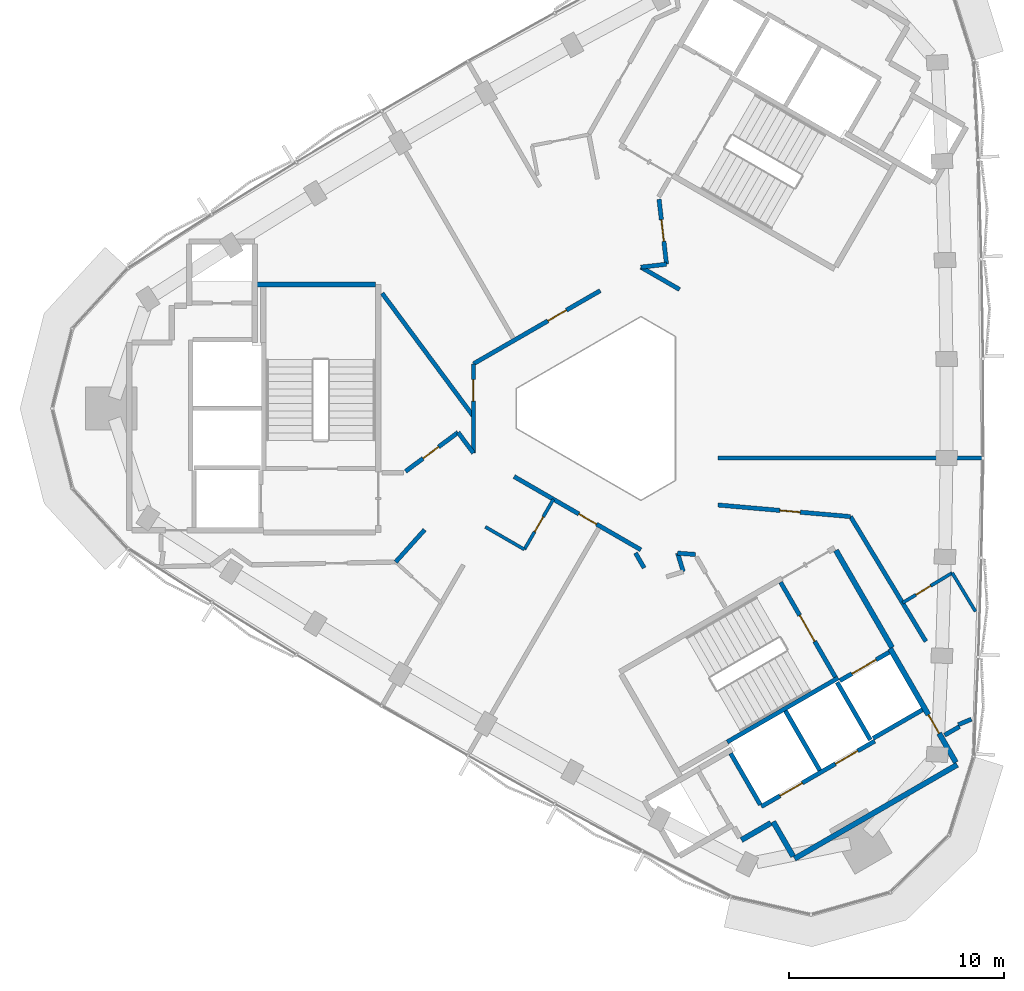
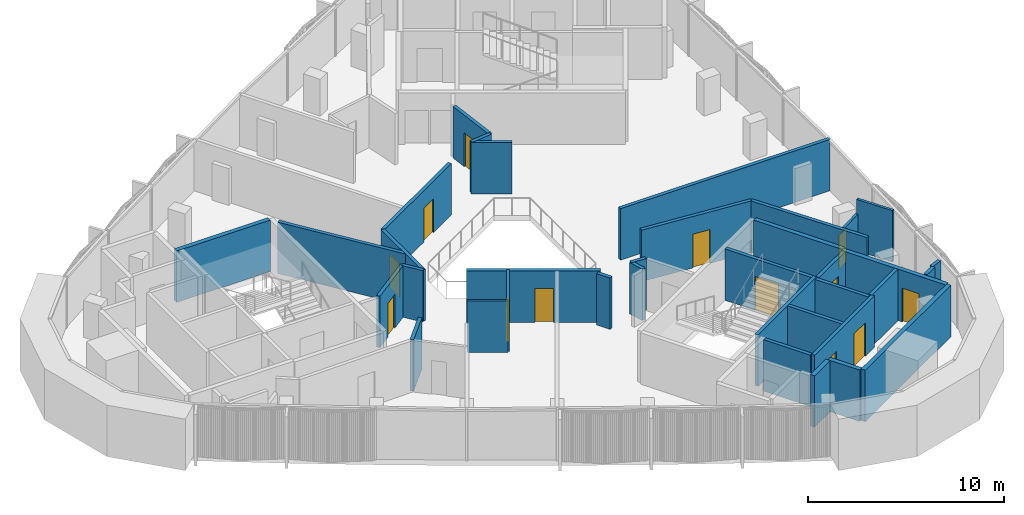
# One storey, part 7 of 13: 36 walls, 13 doors, 13 openings.
"""IFC4 building model written with IfcOpenShell, lengths in metres."""

from ifc_helpers import new_model, si_unit, direction, frame, frame_2d, origin, place, context, subcontext, project, spatial, rectangle, extrude, material, layer, layer_set, type_object, element, fill, save


model = new_model("IFC4")

# Units and contexts
model_context = context("Model", 3, precision=1e-05, world=origin(), true_north=direction((0.0, 1.0)))
body_context = subcontext(model_context, "Body", "Model", "MODEL_VIEW")
ifc_project = project(units=[si_unit("LENGTHUNIT", "METRE"), si_unit("AREAUNIT", "SQUARE_METRE"), si_unit("VOLUMEUNIT", "CUBIC_METRE"), si_unit("PLANEANGLEUNIT", "RADIAN"), si_unit("MASSUNIT", "GRAM", prefix="KILO")], contexts=[model_context])

# Site, building, storey
site_placement = place(None, origin())
site = spatial("IfcSite", under=ifc_project, at=site_placement, CompositionType="ELEMENT")
building_placement = place(site_placement, origin())
building = spatial("IfcBuilding", under=site, at=building_placement, Name="Tamra Quay Hotel Tower", CompositionType="ELEMENT")
storey_placement = place(building_placement, frame((0.0, 0.0, 298.199951171875)))
storey = spatial("IfcBuildingStorey", under=building, at=storey_placement, Name="L75", CompositionType="ELEMENT", Elevation=298.199951171875)

# Wall
ifc_material_1 = material(Name="Concrete M70", Category="concrete")
ifc_layer_1 = layer(ifc_material_1, 0.199951171875)
ifc_layer_set_1 = layer_set([ifc_layer_1], Name="Concrete M70 core wall 200")
wall_type_1 = type_object("IfcWallType", Name="Concrete M70 core wall 200", PredefinedType="SHEAR", material=ifc_layer_set_1)
wall_1_placement = place(storey_placement, frame((5.4189453125, -15.533935546875, 0.0), z_axis=(0.0, 0.0, 1.0), x_axis=(0.866029065029, 0.499993658486, 0.0)))
element("IfcWall", 1, at=wall_1_placement, inside=storey, type_object=wall_type_1, Name="CW2", PredefinedType="SHEAR", context=body_context, shape_type="SweptSolid", body=[
    extrude(rectangle(XDim=5.97412109375, YDim=0.199951171875, at=frame_2d((2.987060546875, 0.0))), origin(), (0.0, 0.0, 1.0), 3.199951171875),
])

# Wall, openings, doors
wall_2_placement = place(storey_placement, frame((7.009765625, -18.54150390625, 0.0), z_axis=(0.0, 0.0, 1.0), x_axis=(0.866030299012, 0.499991521122, 0.0)))
wall_2 = element("IfcWall", 2, at=wall_2_placement, inside=storey, type_object=wall_type_1, Name="CW2", PredefinedType="SHEAR", context=body_context, shape_type="SweptSolid", body=[
    extrude(rectangle(XDim=6.10009765625, YDim=0.199951171875, at=frame_2d((3.050048828125, 0.0))), origin(), (0.0, 0.0, 1.0), 3.199951171875),
])
opening_1_placement = place(wall_2_placement, frame((1.0, 0.0, 0.0)))
opening_1 = element("IfcOpeningElement", 3, at=opening_1_placement, cuts=wall_2, Name="Opening LD", PredefinedType="OPENING", context=body_context, shape_type="SweptSolid", body=[
    extrude(rectangle(XDim=1.199951171875, YDim=2.10009765625, at=frame_2d((0.60009765625, 1.050048828125))), frame((0.0, 0.10986328125, 0.0), z_axis=(0.0, -1.0, 0.0), x_axis=(1.0, 0.0, 0.0)), (0.0, 0.0, 1.0), 0.219970703125),
])
opening_2_placement = place(wall_2_placement, frame((3.982177734375, 0.0, 0.0)))
opening_2 = element("IfcOpeningElement", 4, at=opening_2_placement, cuts=wall_2, Name="Opening LD", PredefinedType="OPENING", context=body_context, shape_type="SweptSolid", body=[
    extrude(rectangle(XDim=1.199951171875, YDim=2.10009765625, at=frame_2d((0.60009765625, 1.050048828125))), frame((0.0, 0.10986328125, 0.0), z_axis=(0.0, -1.0, 0.0), x_axis=(1.0, 0.0, 0.0)), (0.0, 0.0, 1.0), 0.219970703125),
])
ifc_material_2 = material(Name="Landing door LD 1200 double door sliding")
door_type_1 = type_object("IfcDoorType", Name="Landing door LD 1200 double door sliding", OperationType="DOUBLE_DOOR_SLIDING", PredefinedType="DOOR", material=ifc_material_2)
door_1_placement = place(opening_1_placement, origin())
door_1 = element("IfcDoor", 5, at=door_1_placement, inside=storey, type_object=door_type_1, Name="LD", OperationType="DOUBLE_DOOR_SLIDING", OverallHeight=2.10009765625, OverallWidth=1.199951171875, PredefinedType="DOOR", context=body_context, shape_type="SweptSolid", body=[
    extrude(rectangle(XDim=1.199951171875, YDim=2.10009765625, at=frame_2d((0.60009765625, 1.050048828125))), frame((0.0, 0.02490234375, 0.0), z_axis=(0.0, -1.0, 0.0), x_axis=(1.0, 0.0, 0.0)), (0.0, 0.0, 1.0), 0.050048828125),
])
fill(opening_1, door_1)
door_2_placement = place(opening_2_placement, origin())
door_2 = element("IfcDoor", 6, at=door_2_placement, inside=storey, type_object=door_type_1, Name="LD", OperationType="DOUBLE_DOOR_SLIDING", OverallHeight=2.10009765625, OverallWidth=1.199951171875, PredefinedType="DOOR", context=body_context, shape_type="SweptSolid", body=[
    extrude(rectangle(XDim=1.199951171875, YDim=2.10009765625, at=frame_2d((0.60009765625, 1.050048828125))), frame((0.0, 0.02490234375, 0.0), z_axis=(0.0, -1.0, 0.0), x_axis=(1.0, 0.0, 0.0)), (0.0, 0.0, 1.0), 0.050048828125),
])
fill(opening_2, door_2)

# Wall, opening, door
wall_3_placement = place(storey_placement, frame((7.906494140625, -8.094482421875, 0.0), z_axis=(0.0, 0.0, 1.0), x_axis=(0.500027839223, -0.866009330205, 0.0)))
wall_3 = element("IfcWall", 7, at=wall_3_placement, inside=storey, type_object=wall_type_1, Name="CW2", PredefinedType="SHEAR", context=body_context, shape_type="SweptSolid", body=[
    extrude(rectangle(XDim=5.097900390625, YDim=0.199951171875, at=frame_2d((2.548828125, 0.0))), origin(), (0.0, 0.0, 1.0), 3.199951171875),
])
opening_3_placement = place(wall_3_placement, frame((1.77392578125, 0.0, 0.0)))
opening_3 = element("IfcOpeningElement", 8, at=opening_3_placement, cuts=wall_3, Name="Opening FD2", PredefinedType="OPENING", context=body_context, shape_type="SweptSolid", body=[
    extrude(rectangle(XDim=1.39990234375, YDim=2.10009765625, at=frame_2d((0.699951171875, 1.050048828125))), frame((0.0, 0.10986328125, 0.0), z_axis=(0.0, -1.0, 0.0), x_axis=(1.0, 0.0, 0.0)), (0.0, 0.0, 1.0), 0.219970703125),
])
ifc_material_3 = material(Name="Core door FD2 1400x2100 RH")
door_type_2 = type_object("IfcDoorType", Name="Core door FD2 1400x2100 RH", OperationType="NOTDEFINED", PredefinedType="DOOR", material=ifc_material_3)
door_3_placement = place(opening_3_placement, origin())
door_3 = element("IfcDoor", 9, at=door_3_placement, inside=storey, type_object=door_type_2, Name="FD2", OperationType="SINGLE_SWING_RIGHT", OverallHeight=2.10009765625, OverallWidth=1.39990234375, PredefinedType="DOOR", context=body_context, shape_type="SweptSolid", body=[
    extrude(rectangle(XDim=1.39990234375, YDim=2.10009765625, at=frame_2d((0.699951171875, 1.050048828125))), frame((0.0, 0.02490234375, 0.0), z_axis=(0.0, -1.0, 0.0), x_axis=(1.0, 0.0, 0.0)), (0.0, 0.0, 1.0), 0.050048828125),
])
fill(opening_3, door_3)

# Walls
wall_4_placement = place(storey_placement, frame((8.131591796875, -14.084228515625, 0.0), z_axis=(0.0, 0.0, 1.0), x_axis=(0.499997778408, -0.866026686418, 0.0)))
element("IfcWall", 10, at=wall_4_placement, inside=storey, type_object=wall_type_1, Name="CW2", PredefinedType="SHEAR", context=body_context, shape_type="SweptSolid", body=[
    extrude(rectangle(XDim=3.1982421875, YDim=0.199951171875, at=frame_2d((1.59912109375, 0.0))), origin(), (0.0, 0.0, 1.0), 3.199951171875),
])
wall_5_placement = place(storey_placement, frame((6.959716796875, -18.455078125, 0.0), z_axis=(0.0, 0.0, 1.0), x_axis=(-0.499926705758, 0.866067716099, 0.0)))
element("IfcWall", 11, at=wall_5_placement, inside=storey, type_object=wall_type_1, Name="CW2", PredefinedType="SHEAR", context=body_context, shape_type="SweptSolid", body=[
    extrude(rectangle(XDim=2.75927734375, YDim=0.199951171875, at=frame_2d((1.379638671875, 0.0))), origin(), (0.0, 0.0, 1.0), 3.199951171875),
])
wall_6_placement = place(storey_placement, frame((12.087646484375, -15.4365234375, 0.0), z_axis=(0.0, 0.0, 1.0), x_axis=(-0.500026960575, 0.86600983753, 0.0)))
element("IfcWall", 12, at=wall_6_placement, inside=storey, type_object=wall_type_1, Name="CW2", PredefinedType="SHEAR", context=body_context, shape_type="SweptSolid", body=[
    extrude(rectangle(XDim=3.099853515625, YDim=0.199951171875, at=frame_2d((1.5498046875, 0.0))), origin(), (0.0, 0.0, 1.0), 3.199951171875),
])

# Wall, opening, door
wall_7_placement = place(storey_placement, frame((10.666015625, -12.677734375, 0.0), z_axis=(0.0, 0.0, 1.0), x_axis=(0.866018407898, 0.500012117035, 0.0)))
wall_7 = element("IfcWall", 13, at=wall_7_placement, inside=storey, type_object=wall_type_1, Name="CW2", PredefinedType="SHEAR", context=body_context, shape_type="SweptSolid", body=[
    extrude(rectangle(XDim=2.65087890625, YDim=0.199951171875, at=frame_2d((1.325439453125, 0.0))), origin(), (0.0, 0.0, 1.0), 3.199951171875),
])
opening_4_placement = place(wall_7_placement, frame((0.65185546875, 0.0, 0.0)))
opening_4 = element("IfcOpeningElement", 14, at=opening_4_placement, cuts=wall_7, Name="Opening LD", PredefinedType="OPENING", context=body_context, shape_type="SweptSolid", body=[
    extrude(rectangle(XDim=1.300048828125, YDim=2.10009765625, at=frame_2d((0.64990234375, 1.050048828125))), frame((0.0, 0.10986328125, 0.0), z_axis=(0.0, -1.0, 0.0), x_axis=(1.0, 0.0, 0.0)), (0.0, 0.0, 1.0), 0.219970703125),
])
ifc_material_4 = material(Name="Landing door LD 1300 sliding to right")
door_type_3 = type_object("IfcDoorType", Name="Landing door LD 1300 sliding to right", OperationType="NOTDEFINED", PredefinedType="DOOR", material=ifc_material_4)
door_4_placement = place(opening_4_placement, origin())
door_4 = element("IfcDoor", 15, at=door_4_placement, inside=storey, type_object=door_type_3, Name="LD", OperationType="SLIDING_TO_RIGHT", OverallHeight=2.10009765625, OverallWidth=1.300048828125, PredefinedType="DOOR", context=body_context, shape_type="SweptSolid", body=[
    extrude(rectangle(XDim=1.300048828125, YDim=2.10009765625, at=frame_2d((0.64990234375, 1.050048828125))), frame((0.0, 0.02490234375, 0.0), z_axis=(0.0, -1.0, 0.0), x_axis=(1.0, 0.0, 0.0)), (0.0, 0.0, 1.0), 0.050048828125),
])
fill(opening_4, door_4)

# Walls
wall_8_placement = place(storey_placement, frame((14.51171875, -14.037109375, 0.0), z_axis=(0.0, 0.0, 1.0), x_axis=(-0.866018407898, -0.500012117035, 0.0)))
element("IfcWall", 16, at=wall_8_placement, inside=storey, type_object=wall_type_1, Name="CW2", PredefinedType="SHEAR", context=body_context, shape_type="SweptSolid", body=[
    extrude(rectangle(XDim=2.65087890625, YDim=0.199951171875, at=frame_2d((1.325439453125, 0.0))), origin(), (0.0, 0.0, 1.0), 3.199951171875),
])
ifc_layer_2 = layer(ifc_material_1, 0.25)
ifc_layer_set_2 = layer_set([ifc_layer_2], Name="Concrete M70 core wall 250")
wall_type_2 = type_object("IfcWallType", Name="Concrete M70 core wall 250", PredefinedType="SHEAR", material=ifc_layer_set_2)
wall_9_placement = place(storey_placement, frame((-16.47216796875, 5.77490234375, 0.0), z_axis=(0.0, 0.0, 1.0), x_axis=(1.0, 0.0, 0.0)))
element("IfcWall", 17, at=wall_9_placement, inside=storey, type_object=wall_type_2, Name="CW1", PredefinedType="SHEAR", context=body_context, shape_type="SweptSolid", body=[
    extrude(rectangle(XDim=5.509521484375, YDim=0.25, at=frame_2d((2.7548828125, 0.0))), origin(), (0.0, 0.0, 1.0), 3.199951171875),
])
wall_10_placement = place(storey_placement, frame((16.13330078125, -16.59375, 0.0), z_axis=(0.0, 0.0, 1.0), x_axis=(-0.866022959057, -0.500004234368, 0.0)))
element("IfcWall", 18, at=wall_10_placement, inside=storey, type_object=wall_type_2, Name="CW1", PredefinedType="SHEAR", context=body_context, shape_type="SweptSolid", body=[
    extrude(rectangle(XDim=8.75, YDim=0.25, at=frame_2d((4.375, 0.0))), origin(), (0.0, 0.0, 1.0), 3.199951171875),
])

# Wall, opening, door
wall_11_placement = place(storey_placement, frame((13.00830078125, -11.18115234375, 0.0), z_axis=(0.0, 0.0, 1.0), x_axis=(0.500001955336, -0.866024274868, 0.0)))
wall_11 = element("IfcWall", 19, at=wall_11_placement, inside=storey, type_object=wall_type_2, Name="CW1", PredefinedType="SHEAR", context=body_context, shape_type="SweptSolid", body=[
    extrude(rectangle(XDim=6.12451171875, YDim=0.25, at=frame_2d((3.062255859375, 0.0))), origin(), (0.0, 0.0, 1.0), 3.199951171875),
])
opening_5_placement = place(wall_11_placement, frame((3.562744140625, 0.0, 0.0)))
opening_5 = element("IfcOpeningElement", 20, at=opening_5_placement, cuts=wall_11, Name="Opening FD3", PredefinedType="OPENING", context=body_context, shape_type="SweptSolid", body=[
    extrude(rectangle(XDim=1.0, YDim=2.10009765625, at=frame_2d((0.5, 1.050048828125))), frame((0.0, 0.135009765625, 0.0), z_axis=(0.0, -1.0, 0.0), x_axis=(1.0, 0.0, 0.0)), (0.0, 0.0, 1.0), 0.27001953125),
])
ifc_material_5 = material(Name="Core door FD3 1000x2100 LH")
door_type_4 = type_object("IfcDoorType", Name="Core door FD3 1000x2100 LH", OperationType="NOTDEFINED", PredefinedType="DOOR", material=ifc_material_5)
door_5_placement = place(opening_5_placement, origin())
door_5 = element("IfcDoor", 21, at=door_5_placement, inside=storey, type_object=door_type_4, Name="FD3", OperationType="SINGLE_SWING_LEFT", OverallHeight=2.10009765625, OverallWidth=1.0, PredefinedType="DOOR", context=body_context, shape_type="SweptSolid", body=[
    extrude(rectangle(XDim=1.0, YDim=2.10009765625, at=frame_2d((0.5, 1.050048828125))), frame((0.0, 0.02490234375, 0.0), z_axis=(0.0, -1.0, 0.0), x_axis=(1.0, 0.0, 0.0)), (0.0, 0.0, 1.0), 0.050048828125),
])
fill(opening_5, door_5)

# Walls
wall_12_placement = place(storey_placement, frame((10.482666015625, -6.6064453125, 0.0), z_axis=(0.0, 0.0, 1.0), x_axis=(0.49999885962, -0.866026062182, 0.0)))
element("IfcWall", 22, at=wall_12_placement, inside=storey, type_object=wall_type_2, Name="CW1", PredefinedType="SHEAR", context=body_context, shape_type="SweptSolid", body=[
    extrude(rectangle(XDim=5.224609375, YDim=0.25, at=frame_2d((2.6123046875, 0.0))), origin(), (0.0, 0.0, 1.0), 3.199951171875),
])
wall_13_placement = place(storey_placement, frame((8.492919921875, -20.860107421875, 0.0), z_axis=(0.0, 0.0, 1.0), x_axis=(-0.500039802285, 0.866002422705, 0.0)))
element("IfcWall", 23, at=wall_13_placement, inside=storey, type_object=wall_type_2, Name="CW1", PredefinedType="SHEAR", context=body_context, shape_type="SweptSolid", body=[
    extrude(rectangle(XDim=1.864501953125, YDim=0.25, at=frame_2d((0.93212890625, 0.0))), origin(), (0.0, 0.0, 1.0), 3.199951171875),
])
wall_14_placement = place(storey_placement, frame((7.451904296875, -19.30810546875, 0.0), z_axis=(0.0, 0.0, 1.0), x_axis=(-0.866044474677, -0.49996696679, 0.0)))
element("IfcWall", 24, at=wall_14_placement, inside=storey, type_object=wall_type_2, Name="CW1", PredefinedType="SHEAR", context=body_context, shape_type="SweptSolid", body=[
    extrude(rectangle(XDim=1.58447265625, YDim=0.25, at=frame_2d((0.792236328125, 0.0))), origin(), (0.0, 0.0, 1.0), 3.199951171875),
])
ifc_material_6 = material(Name="Partition corridor wall")
ifc_layer_3 = layer(ifc_material_6, 0.199951171875)
ifc_layer_set_3 = layer_set([ifc_layer_3], Name="Partition corridor wall")
wall_type_3 = type_object("IfcWallType", Name="Partition corridor wall", PredefinedType="PARTITIONING", material=ifc_layer_set_3)
wall_15_placement = place(storey_placement, frame((-10.02294921875, -7.15087890625, 0.0), z_axis=(0.0, 0.0, 1.0), x_axis=(0.668804583793, 0.743438248073, 0.0)))
element("IfcWall", 25, at=wall_15_placement, inside=storey, type_object=wall_type_3, Name="W-C", PredefinedType="PARTITIONING", context=body_context, shape_type="SweptSolid", body=[
    extrude(rectangle(XDim=2.021484375, YDim=0.199951171875, at=frame_2d((1.0107421875, 0.0))), origin(), (0.0, 0.0, 1.0), 3.199951171875),
])

# Wall, opening, door
wall_16_placement = place(storey_placement, frame((-7.114990234375, -1.114990234375, 0.0), z_axis=(0.0, 0.0, 1.0), x_axis=(-0.803344165632, -0.595515030495, 0.0)))
wall_16 = element("IfcWall", 26, at=wall_16_placement, inside=storey, type_object=wall_type_3, Name="W-C", PredefinedType="PARTITIONING", context=body_context, shape_type="SweptSolid", body=[
    extrude(rectangle(XDim=3.046142578125, YDim=0.199951171875, at=frame_2d((1.52294921875, 0.0))), origin(), (0.0, 0.0, 1.0), 3.199951171875),
])
opening_6_placement = place(wall_16_placement, frame((1.1328125, 0.0, 0.0)))
opening_6 = element("IfcOpeningElement", 27, at=opening_6_placement, cuts=wall_16, Name="Opening L75-D008", PredefinedType="OPENING", context=body_context, shape_type="SweptSolid", body=[
    extrude(rectangle(XDim=0.89990234375, YDim=2.10009765625, at=frame_2d((0.449951171875, 1.050048828125))), frame((0.0, 0.10986328125, 0.0), z_axis=(0.0, -1.0, 0.0), x_axis=(1.0, 0.0, 0.0)), (0.0, 0.0, 1.0), 0.219970703125),
])
ifc_material_7 = material(Name="Door service room 900x2100")
door_type_5 = type_object("IfcDoorType", Name="Door service room 900x2100", OperationType="NOTDEFINED", PredefinedType="DOOR", material=ifc_material_7)
door_6_placement = place(opening_6_placement, origin())
door_6 = element("IfcDoor", 28, at=door_6_placement, inside=storey, type_object=door_type_5, Name="L75-D008", OperationType="SINGLE_SWING_LEFT", OverallHeight=2.10009765625, OverallWidth=0.89990234375, PredefinedType="DOOR", context=body_context, shape_type="SweptSolid", body=[
    extrude(rectangle(XDim=0.89990234375, YDim=2.10009765625, at=frame_2d((0.449951171875, 1.050048828125))), frame((0.0, 0.02490234375, 0.0), z_axis=(0.0, -1.0, 0.0), x_axis=(1.0, 0.0, 0.0)), (0.0, 0.0, 1.0), 0.050048828125),
])
fill(opening_6, door_6)

# Wall
wall_17_placement = place(storey_placement, frame((-7.114013671875, -1.114990234375, 0.0), z_axis=(0.0, 0.0, 1.0), x_axis=(0.595690139668, -0.803214328496, 0.0)))
element("IfcWall", 29, at=wall_17_placement, inside=storey, type_object=wall_type_3, Name="W-C", PredefinedType="PARTITIONING", context=body_context, shape_type="SweptSolid", body=[
    extrude(rectangle(XDim=1.19873046875, YDim=0.199951171875, at=frame_2d((0.599365234375, 0.0))), origin(), (0.0, 0.0, 1.0), 3.199951171875),
])

# Wall, opening, door
wall_18_placement = place(storey_placement, frame((-6.39990234375, 2.0791015625, 0.0), z_axis=(0.0, 0.0, 1.0), x_axis=(0.866037708501, 0.499978687001, 0.0)))
wall_18 = element("IfcWall", 30, at=wall_18_placement, inside=storey, type_object=wall_type_3, Name="W-C", PredefinedType="PARTITIONING", context=body_context, shape_type="SweptSolid", body=[
    extrude(rectangle(XDim=6.818115234375, YDim=0.199951171875, at=frame_2d((3.4091796875, 0.0))), origin(), (0.0, 0.0, 1.0), 3.199951171875),
])
opening_7_placement = place(wall_18_placement, frame((4.003173828125, 0.0, 0.0)))
opening_7 = element("IfcOpeningElement", 31, at=opening_7_placement, cuts=wall_18, Name="Opening L75-D006", PredefinedType="OPENING", context=body_context, shape_type="SweptSolid", body=[
    extrude(rectangle(XDim=1.0, YDim=2.10009765625, at=frame_2d((0.5, 1.050048828125))), frame((0.0, 0.10986328125, 0.0), z_axis=(0.0, -1.0, 0.0), x_axis=(1.0, 0.0, 0.0)), (0.0, 0.0, 1.0), 0.219970703125),
])
ifc_material_8 = material(Name="Door guest room 1000x2100")
door_type_6 = type_object("IfcDoorType", Name="Door guest room 1000x2100", OperationType="NOTDEFINED", PredefinedType="DOOR", material=ifc_material_8)
door_7_placement = place(opening_7_placement, origin())
door_7 = element("IfcDoor", 32, at=door_7_placement, inside=storey, type_object=door_type_6, Name="L75-D006", OperationType="SINGLE_SWING_LEFT", OverallHeight=2.10009765625, OverallWidth=1.0, PredefinedType="DOOR", context=body_context, shape_type="SweptSolid", body=[
    extrude(rectangle(XDim=1.0, YDim=2.10009765625, at=frame_2d((0.5, 1.050048828125))), frame((0.0, 0.02490234375, 0.0), z_axis=(0.0, -1.0, 0.0), x_axis=(1.0, 0.0, 0.0)), (0.0, 0.0, 1.0), 0.050048828125),
])
fill(opening_7, door_7)

wall_19_placement = place(storey_placement, frame((-6.39990234375, -2.077880859375, 0.0), z_axis=(0.0, 0.0, 1.0), x_axis=(0.0, 1.0, 0.0)))
wall_19 = element("IfcWall", 33, at=wall_19_placement, inside=storey, type_object=wall_type_3, Name="W-C", PredefinedType="PARTITIONING", context=body_context, shape_type="SweptSolid", body=[
    extrude(rectangle(XDim=4.156982421875, YDim=0.199951171875, at=frame_2d((2.07861328125, 0.0))), origin(), (0.0, 0.0, 1.0), 3.199951171875),
])
opening_8_placement = place(wall_19_placement, frame((2.426025390625, 0.0, 0.0)))
opening_8 = element("IfcOpeningElement", 34, at=opening_8_placement, cuts=wall_19, Name="Opening L75-D007", PredefinedType="OPENING", context=body_context, shape_type="SweptSolid", body=[
    extrude(rectangle(XDim=1.0, YDim=2.10009765625, at=frame_2d((0.5, 1.050048828125))), frame((0.0, 0.10986328125, 0.0), z_axis=(0.0, -1.0, 0.0), x_axis=(1.0, 0.0, 0.0)), (0.0, 0.0, 1.0), 0.219970703125),
])
door_8_placement = place(opening_8_placement, origin())
door_8 = element("IfcDoor", 35, at=door_8_placement, inside=storey, type_object=door_type_6, Name="L75-D007", OperationType="SINGLE_SWING_LEFT", OverallHeight=2.10009765625, OverallWidth=1.0, PredefinedType="DOOR", context=body_context, shape_type="SweptSolid", body=[
    extrude(rectangle(XDim=1.0, YDim=2.10009765625, at=frame_2d((0.5, 1.050048828125))), frame((0.0, 0.02490234375, 0.0), z_axis=(0.0, -1.0, 0.0), x_axis=(1.0, 0.0, 0.0)), (0.0, 0.0, 1.0), 0.050048828125),
])
fill(opening_8, door_8)

wall_20_placement = place(storey_placement, frame((-4.504638671875, -3.171142578125, 0.0), z_axis=(0.0, 0.0, 1.0), x_axis=(0.865849219471, -0.500305036094, 0.0)))
wall_20 = element("IfcWall", 36, at=wall_20_placement, inside=storey, type_object=wall_type_3, Name="W-C", PredefinedType="PARTITIONING", context=body_context, shape_type="SweptSolid", body=[
    extrude(rectangle(XDim=6.819091796875, YDim=0.199951171875, at=frame_2d((3.40966796875, 0.0))), origin(), (0.0, 0.0, 1.0), 3.199951171875),
])
opening_9_placement = place(wall_20_placement, frame((3.480712890625, 0.0, 0.0)))
opening_9 = element("IfcOpeningElement", 37, at=opening_9_placement, cuts=wall_20, Name="Opening L75-D011", PredefinedType="OPENING", context=body_context, shape_type="SweptSolid", body=[
    extrude(rectangle(XDim=0.949951171875, YDim=2.10009765625, at=frame_2d((0.47509765625, 1.050048828125))), frame((0.0, 0.10986328125, 0.0), z_axis=(0.0, -1.0, 0.0), x_axis=(1.0, 0.0, 0.0)), (0.0, 0.0, 1.0), 0.219970703125),
])
ifc_material_9 = material(Name="Door guest room 950x2100")
door_type_7 = type_object("IfcDoorType", Name="Door guest room 950x2100", OperationType="NOTDEFINED", PredefinedType="DOOR", material=ifc_material_9)
door_9_placement = place(opening_9_placement, frame((0.949951171875, 0.0, 0.0), z_axis=(0.0, 0.0, 1.0), x_axis=(-1.0, 0.0, 0.0)))
door_9 = element("IfcDoor", 38, at=door_9_placement, inside=storey, type_object=door_type_7, Name="L75-D011", OperationType="SINGLE_SWING_LEFT", OverallHeight=2.10009765625, OverallWidth=0.949951171875, PredefinedType="DOOR", context=body_context, shape_type="SweptSolid", body=[
    extrude(rectangle(XDim=0.949951171875, YDim=2.10009765625, at=frame_2d((0.47509765625, 1.050048828125))), frame((0.0, 0.02490234375, 0.0), z_axis=(0.0, -1.0, 0.0), x_axis=(1.0, 0.0, 0.0)), (0.0, 0.0, 1.0), 0.050048828125),
])
fill(opening_9, door_9)

# Walls
wall_21_placement = place(storey_placement, frame((1.14697265625, -6.72802734375, 0.0), z_axis=(0.0, 0.0, 1.0), x_axis=(0.500080775649, -0.865978762919, 0.0)))
element("IfcWall", 39, at=wall_21_placement, inside=storey, type_object=wall_type_3, Name="W-C", PredefinedType="PARTITIONING", context=body_context, shape_type="SweptSolid", body=[
    extrude(rectangle(XDim=0.805908203125, YDim=0.199951171875, at=frame_2d((0.40283203125, 0.0))), origin(), (0.0, 0.0, 1.0), 3.199951171875),
])
wall_22_placement = place(storey_placement, frame((1.39990234375, 6.58203125, 0.0), z_axis=(0.0, 0.0, 1.0), x_axis=(0.993556915844, 0.11333426216, 0.0)))
element("IfcWall", 40, at=wall_22_placement, inside=storey, type_object=wall_type_3, Name="W-C", PredefinedType="PARTITIONING", context=body_context, shape_type="SweptSolid", body=[
    extrude(rectangle(XDim=1.199951171875, YDim=0.199951171875, at=frame_2d((0.60009765625, 0.0))), origin(), (0.0, 0.0, 1.0), 3.199951171875),
])
wall_23_placement = place(storey_placement, frame((1.39990234375, 6.58203125, 0.0), z_axis=(0.0, 0.0, 1.0), x_axis=(0.866066271601, -0.499929208183, 0.0)))
element("IfcWall", 41, at=wall_23_placement, inside=storey, type_object=wall_type_3, Name="W-C", PredefinedType="PARTITIONING", context=body_context, shape_type="SweptSolid", body=[
    extrude(rectangle(XDim=2.078369140625, YDim=0.199951171875, at=frame_2d((1.0390625, 0.0))), origin(), (0.0, 0.0, 1.0), 3.199951171875),
])

# Wall, opening, door
wall_24_placement = place(storey_placement, frame((2.592041015625, 6.718994140625, 0.0), z_axis=(0.0, 0.0, 1.0), x_axis=(-0.114027951455, 0.993477541914, 0.0)))
wall_24 = element("IfcWall", 42, at=wall_24_placement, inside=storey, type_object=wall_type_3, Name="W-C", PredefinedType="PARTITIONING", context=body_context, shape_type="SweptSolid", body=[
    extrude(rectangle(XDim=3.046630859375, YDim=0.199951171875, at=frame_2d((1.5234375, 0.0))), origin(), (0.0, 0.0, 1.0), 3.199951171875),
])
opening_10_placement = place(wall_24_placement, frame((1.082763671875, 0.0, 0.0)))
opening_10 = element("IfcOpeningElement", 43, at=opening_10_placement, cuts=wall_24, Name="Opening L75-D003", PredefinedType="OPENING", context=body_context, shape_type="SweptSolid", body=[
    extrude(rectangle(XDim=1.0, YDim=2.10009765625, at=frame_2d((0.5, 1.050048828125))), frame((0.0, 0.10986328125, 0.0), z_axis=(0.0, -1.0, 0.0), x_axis=(1.0, 0.0, 0.0)), (0.0, 0.0, 1.0), 0.219970703125),
])
door_10_placement = place(opening_10_placement, origin())
door_10 = element("IfcDoor", 44, at=door_10_placement, inside=storey, type_object=door_type_6, Name="L75-D003", OperationType="SINGLE_SWING_LEFT", OverallHeight=2.10009765625, OverallWidth=1.0, PredefinedType="DOOR", context=body_context, shape_type="SweptSolid", body=[
    extrude(rectangle(XDim=1.0, YDim=2.10009765625, at=frame_2d((0.5, 1.050048828125))), frame((0.0, 0.02490234375, 0.0), z_axis=(0.0, -1.0, 0.0), x_axis=(1.0, 0.0, 0.0)), (0.0, 0.0, 1.0), 0.050048828125),
])
fill(opening_10, door_10)

# Walls
wall_25_placement = place(storey_placement, frame((3.110107421875, -6.739013671875, 0.0), z_axis=(0.0, 0.0, 1.0), x_axis=(0.291053676179, -0.95670672496, 0.0)))
element("IfcWall", 45, at=wall_25_placement, inside=storey, type_object=wall_type_3, Name="W-C", PredefinedType="PARTITIONING", context=body_context, shape_type="SweptSolid", body=[
    extrude(rectangle(XDim=0.900146484375, YDim=0.199951171875, at=frame_2d((0.4501953125, 0.0))), origin(), (0.0, 0.0, 1.0), 3.199951171875),
])
wall_26_placement = place(storey_placement, frame((3.110107421875, -6.739013671875, 0.0), z_axis=(0.0, 0.0, 1.0), x_axis=(0.997306047238, -0.073352901386, 0.0)))
element("IfcWall", 46, at=wall_26_placement, inside=storey, type_object=wall_type_3, Name="W-C", PredefinedType="PARTITIONING", context=body_context, shape_type="SweptSolid", body=[
    extrude(rectangle(XDim=0.83203125, YDim=0.199951171875, at=frame_2d((0.416015625, 0.0))), origin(), (0.0, 0.0, 1.0), 3.199951171875),
])

# Wall, opening, door
wall_27_placement = place(storey_placement, frame((4.988037109375, -4.4951171875, 0.0), z_axis=(0.0, 0.0, 1.0), x_axis=(0.996187344936, -0.087239748904, 0.0)))
wall_27 = element("IfcWall", 47, at=wall_27_placement, inside=storey, type_object=wall_type_3, Name="W-C", PredefinedType="PARTITIONING", context=body_context, shape_type="SweptSolid", body=[
    extrude(rectangle(XDim=6.19873046875, YDim=0.199951171875, at=frame_2d((3.099365234375, 0.0))), origin(), (0.0, 0.0, 1.0), 3.199951171875),
])
opening_11_placement = place(wall_27_placement, frame((2.898681640625, 0.0, 0.0)))
opening_11 = element("IfcOpeningElement", 48, at=opening_11_placement, cuts=wall_27, Name="Opening L75-D001", PredefinedType="OPENING", context=body_context, shape_type="SweptSolid", body=[
    extrude(rectangle(XDim=0.949951171875, YDim=2.10009765625, at=frame_2d((0.47509765625, 1.050048828125))), frame((0.0, 0.10986328125, 0.0), z_axis=(0.0, -1.0, 0.0), x_axis=(1.0, 0.0, 0.0)), (0.0, 0.0, 1.0), 0.219970703125),
])
door_11_placement = place(opening_11_placement, frame((0.949951171875, 0.0, 0.0), z_axis=(0.0, 0.0, 1.0), x_axis=(-1.0, 0.0, 0.0)))
door_11 = element("IfcDoor", 49, at=door_11_placement, inside=storey, type_object=door_type_7, Name="L75-D001", OperationType="SINGLE_SWING_LEFT", OverallHeight=2.10009765625, OverallWidth=0.949951171875, PredefinedType="DOOR", context=body_context, shape_type="SweptSolid", body=[
    extrude(rectangle(XDim=0.949951171875, YDim=2.10009765625, at=frame_2d((0.47509765625, 1.050048828125))), frame((0.0, 0.02490234375, 0.0), z_axis=(0.0, -1.0, 0.0), x_axis=(1.0, 0.0, 0.0)), (0.0, 0.0, 1.0), 0.050048828125),
])
fill(opening_11, door_11)

# Walls
wall_28_placement = place(storey_placement, frame((11.1630859375, -5.035888671875, 0.0), z_axis=(0.0, 0.0, 1.0), x_axis=(0.516730398198, -0.856148173845, 0.0)))
element("IfcWall", 50, at=wall_28_placement, inside=storey, type_object=wall_type_3, Name="W-C", PredefinedType="PARTITIONING", context=body_context, shape_type="SweptSolid", body=[
    extrude(rectangle(XDim=6.790771484375, YDim=0.199951171875, at=frame_2d((3.3955078125, 0.0))), origin(), (0.0, 0.0, 1.0), 3.199951171875),
])
wall_29_placement = place(storey_placement, frame((15.5498046875, -15.213134765625, 0.0), z_axis=(0.0, 0.0, 1.0), x_axis=(0.865989998118, 0.500061319399, 0.0)))
element("IfcWall", 51, at=wall_29_placement, inside=storey, type_object=wall_type_3, Name="W-C", PredefinedType="PARTITIONING", context=body_context, shape_type="SweptSolid", body=[
    extrude(rectangle(XDim=0.7900390625, YDim=0.199951171875, at=frame_2d((0.39501953125, 0.0))), origin(), (0.0, 0.0, 1.0), 3.199951171875),
])
wall_30_placement = place(storey_placement, frame((16.181884765625, -14.72802734375, 0.0), z_axis=(0.0, 0.0, 1.0), x_axis=(0.922058491377, 0.387050563207, 0.0)))
element("IfcWall", 52, at=wall_30_placement, inside=storey, type_object=wall_type_3, Name="W-C", PredefinedType="PARTITIONING", context=body_context, shape_type="SweptSolid", body=[
    extrude(rectangle(XDim=0.66162109375, YDim=0.199951171875, at=frame_2d((0.330810546875, 0.0))), origin(), (0.0, 0.0, 1.0), 3.199951171875),
])
ifc_material_10 = material(Name="Partition en-suite wall")
ifc_layer_4 = layer(ifc_material_10, 0.14990234375)
ifc_layer_set_4 = layer_set([ifc_layer_4], Name="Partition en-suite wall")
wall_type_4 = type_object("IfcWallType", Name="Partition en-suite wall", PredefinedType="PARTITIONING", material=ifc_layer_set_4)
wall_31_placement = place(storey_placement, frame((-5.844970703125, -5.51611328125, 0.0), z_axis=(0.0, 0.0, 1.0), x_axis=(0.865972526687, -0.500091574638, 0.0)))
element("IfcWall", 53, at=wall_31_placement, inside=storey, type_object=wall_type_4, Name="W-E", PredefinedType="PARTITIONING", context=body_context, shape_type="SweptSolid", body=[
    extrude(rectangle(XDim=2.09912109375, YDim=0.14990234375, at=frame_2d((1.049560546875, 0.0))), origin(), (0.0, 0.0, 1.0), 3.199951171875),
])

# Wall, opening, door
wall_32_placement = place(storey_placement, frame((-4.027099609375, -6.56591796875, 0.0), z_axis=(0.0, 0.0, 1.0), x_axis=(0.500358939419, 0.865818070812, 0.0)))
wall_32 = element("IfcWall", 54, at=wall_32_placement, inside=storey, type_object=wall_type_4, Name="W-E", PredefinedType="PARTITIONING", context=body_context, shape_type="SweptSolid", body=[
    extrude(rectangle(XDim=2.7001953125, YDim=0.14990234375, at=frame_2d((1.35009765625, 0.0))), origin(), (0.0, 0.0, 1.0), 3.199951171875),
])
opening_12_placement = place(wall_32_placement, frame((0.949951171875, 0.0, 0.0)))
opening_12 = element("IfcOpeningElement", 55, at=opening_12_placement, cuts=wall_32, Name="Opening L75-D012", PredefinedType="OPENING", context=body_context, shape_type="SweptSolid", body=[
    extrude(rectangle(XDim=0.800048828125, YDim=2.10009765625, at=frame_2d((0.39990234375, 1.050048828125))), frame((0.0, 0.0849609375, 0.0), z_axis=(0.0, -1.0, 0.0), x_axis=(1.0, 0.0, 0.0)), (0.0, 0.0, 1.0), 0.169921875),
])
ifc_material_11 = material(Name="Door en-suite 800x2100")
door_type_8 = type_object("IfcDoorType", Name="Door en-suite 800x2100", OperationType="NOTDEFINED", PredefinedType="DOOR", material=ifc_material_11)
door_12_placement = place(opening_12_placement, frame((0.800048828125, 0.0, 0.0), z_axis=(0.0, 0.0, 1.0), x_axis=(-1.0, 0.0, 0.0)))
door_12 = element("IfcDoor", 56, at=door_12_placement, inside=storey, type_object=door_type_8, Name="L75-D012", OperationType="SINGLE_SWING_LEFT", OverallHeight=2.10009765625, OverallWidth=0.800048828125, PredefinedType="DOOR", context=body_context, shape_type="SweptSolid", body=[
    extrude(rectangle(XDim=0.800048828125, YDim=2.10009765625, at=frame_2d((0.39990234375, 1.050048828125))), frame((0.0, 0.02490234375, 0.0), z_axis=(0.0, -1.0, 0.0), x_axis=(1.0, 0.0, 0.0)), (0.0, 0.0, 1.0), 0.050048828125),
])
fill(opening_12, door_12)

wall_33_placement = place(storey_placement, frame((13.5869140625, -9.052001953125, 0.0), z_axis=(0.0, 0.0, 1.0), x_axis=(0.856117294569, 0.516781557275, 0.0)))
wall_33 = element("IfcWall", 57, at=wall_33_placement, inside=storey, type_object=wall_type_4, Name="W-E", PredefinedType="PARTITIONING", context=body_context, shape_type="SweptSolid", body=[
    extrude(rectangle(XDim=2.699462890625, YDim=0.14990234375, at=frame_2d((1.349609375, 0.0))), origin(), (0.0, 0.0, 1.0), 2.2900390625),
])
opening_13_placement = place(wall_33_placement, frame((0.724853515625, 0.0, 0.0)))
opening_13 = element("IfcOpeningElement", 58, at=opening_13_placement, cuts=wall_33, Name="Opening L75-D002", PredefinedType="OPENING", context=body_context, shape_type="SweptSolid", body=[
    extrude(rectangle(XDim=0.800048828125, YDim=2.10009765625, at=frame_2d((0.39990234375, 1.050048828125))), frame((0.0, 0.0849609375, 0.0), z_axis=(0.0, -1.0, 0.0), x_axis=(1.0, 0.0, 0.0)), (0.0, 0.0, 1.0), 0.169921875),
])
door_13_placement = place(opening_13_placement, origin())
door_13 = element("IfcDoor", 59, at=door_13_placement, inside=storey, type_object=door_type_8, Name="L75-D002", OperationType="SINGLE_SWING_LEFT", OverallHeight=2.10009765625, OverallWidth=0.800048828125, PredefinedType="DOOR", context=body_context, shape_type="SweptSolid", body=[
    extrude(rectangle(XDim=0.800048828125, YDim=2.10009765625, at=frame_2d((0.39990234375, 1.050048828125))), frame((0.0, 0.02490234375, 0.0), z_axis=(0.0, -1.0, 0.0), x_axis=(1.0, 0.0, 0.0)), (0.0, 0.0, 1.0), 0.050048828125),
])
fill(opening_13, door_13)

# Walls
wall_34_placement = place(storey_placement, frame((15.89794921875, -7.656982421875, 0.0), z_axis=(0.0, 0.0, 1.0), x_axis=(0.516836936411, -0.856083863393, 0.0)))
element("IfcWall", 60, at=wall_34_placement, inside=storey, type_object=wall_type_4, Name="W-E", PredefinedType="PARTITIONING", context=body_context, shape_type="SweptSolid", body=[
    extrude(rectangle(XDim=2.09912109375, YDim=0.14990234375, at=frame_2d((1.049560546875, 0.0))), origin(), (0.0, 0.0, 1.0), 3.199951171875),
])
ifc_material_12 = material(Name="Partition party wall")
ifc_layer_5 = layer(ifc_material_12, 0.199951171875)
ifc_layer_set_5 = layer_set([ifc_layer_5], Name="Partition party wall")
wall_type_5 = type_object("IfcWallType", Name="Partition party wall", PredefinedType="PARTITIONING", material=ifc_layer_set_5)
wall_35_placement = place(storey_placement, frame((-10.65234375, 5.36376953125, 0.0), z_axis=(0.0, 0.0, 1.0), x_axis=(0.595550732464, -0.803317698711, 0.0)))
element("IfcWall", 61, at=wall_35_placement, inside=storey, type_object=wall_type_5, Name="W-P", PredefinedType="PARTITIONING", context=body_context, shape_type="SweptSolid", body=[
    extrude(rectangle(XDim=7.135009765625, YDim=0.199951171875, at=frame_2d((3.5673828125, 0.0))), origin(), (0.0, 0.0, 1.0), 3.199951171875),
])
wall_36_placement = place(storey_placement, frame((5.0, -2.303955078125, 0.0), z_axis=(0.0, 0.0, 1.0), x_axis=(1.0, 0.0, 0.0)))
element("IfcWall", 62, at=wall_36_placement, inside=storey, type_object=wall_type_5, Name="W-P", PredefinedType="PARTITIONING", context=body_context, shape_type="SweptSolid", body=[
    extrude(rectangle(XDim=12.3291015625, YDim=0.199951171875, at=frame_2d((6.16455078125, 0.0))), origin(), (0.0, 0.0, 1.0), 3.199951171875),
])

save(model, "model.ifc")
